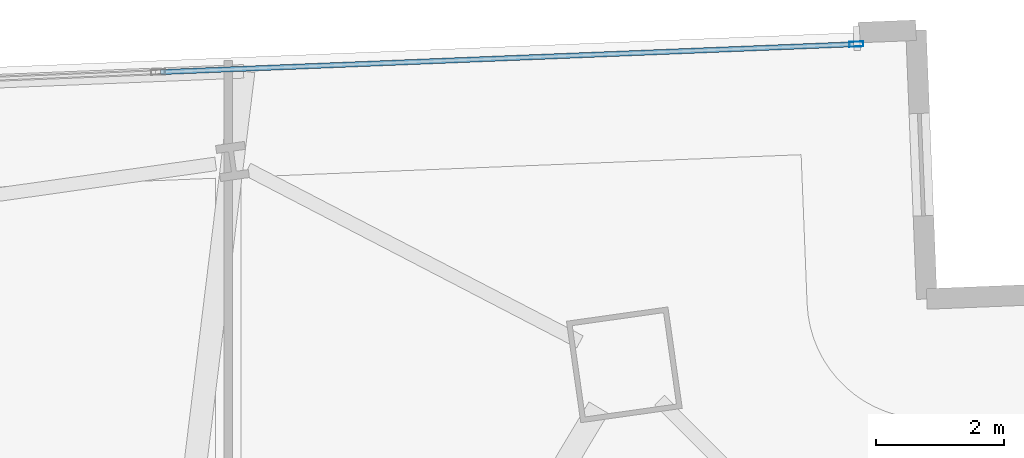
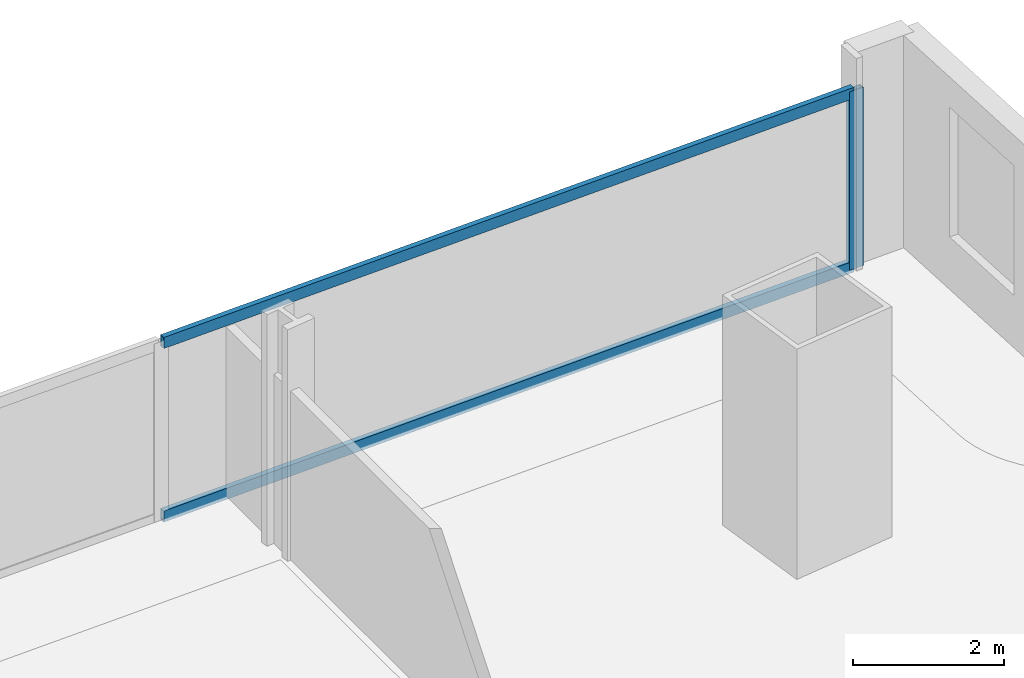
# One storey, part 23 of 32: 3 members, 1 element without a shape of its own.
"""IFC4 building model written with IfcOpenShell, lengths in metres."""

from ifc_helpers import new_model, si_unit, direction, frame, origin, origin_2d, place, context, subcontext, project, spatial, hollow_rectangle, extrude, material, material_profile, profile_set, type_object, element, aggregate, save


model = new_model("IFC4")

# Units and contexts
model_context = context("Model", 3, precision=1e-05, world=origin(), true_north=direction((0.0, 1.0)))
body_context = subcontext(model_context, "Body", "Model", "MODEL_VIEW")
ifc_project = project(units=[si_unit("LENGTHUNIT", "METRE"), si_unit("AREAUNIT", "SQUARE_METRE"), si_unit("VOLUMEUNIT", "CUBIC_METRE"), si_unit("PLANEANGLEUNIT", "RADIAN"), si_unit("MASSUNIT", "GRAM", prefix="KILO")], contexts=[model_context])

# Site, building, storey
site_placement = place(None, origin())
site = spatial("IfcSite", under=ifc_project, at=site_placement, CompositionType="ELEMENT")
building_placement = place(site_placement, origin())
building = spatial("IfcBuilding", under=site, at=building_placement, Name="Haldenkirk Collegiate Tower", CompositionType="ELEMENT")
storey_placement = place(building_placement, frame((0.0, 0.0, 36.449951171875)))
storey = spatial("IfcBuildingStorey", under=building, at=storey_placement, Name="L07", CompositionType="ELEMENT", Elevation=36.449951171875)

# Curtain wall, members
ifc_material = material(Name="Anodised architectural bronze aluminium", Category="aluminium")
curtain_wall_type = type_object("IfcCurtainWallType", Name="CW-SYS1-CONVEX-LOW", PredefinedType="USERDEFINED", material=ifc_material)
curtain_wall_placement = place(storey_placement, origin())
curtain_wall = element("IfcCurtainWall", 1, at=curtain_wall_placement, inside=storey, type_object=curtain_wall_type, Name="L07 Lower tower convex bronze-framed unitised curtain wall", ObjectType="UNITISED CURTAIN WALL", PredefinedType="USERDEFINED")
ifc_material_profile_1 = material_profile(ifc_material, hollow_rectangle(XDim=0.080078125, YDim=0.219970703125, WallThickness=0.0048828125, at=origin_2d()), Name="CW-MUL-1A")
ifc_profile_set_1 = profile_set([ifc_material_profile_1], Name="Anodised architectural bronze aluminium")
member_type_1 = type_object("IfcMemberType", Name="CW-MUL-1A", PredefinedType="MULLION", material=ifc_profile_set_1)
member_1_placement = place(storey_placement, frame((56.80615234375, 52.676513671875, 0.0), z_axis=(0.0, 0.0, 1.0), x_axis=(-0.04013471179, 0.999194277861, 0.0)))
member_1 = element("IfcMember", 2, at=member_1_placement, type_object=member_type_1, Name="CW-1A mullion 5", PredefinedType="MULLION", context=body_context, shape_type="SweptSolid", body=[
    extrude(hollow_rectangle(XDim=0.080078125, YDim=0.219970703125, WallThickness=0.0048828125, at=origin_2d()), origin(), (0.0, 0.0, 1.0), 2.89111328125),
])
ifc_material_profile_2 = material_profile(ifc_material, hollow_rectangle(XDim=0.080078125, YDim=0.179931640625, WallThickness=0.0048828125, at=origin_2d()), Name="CW-TRN-1A")
ifc_profile_set_2 = profile_set([ifc_material_profile_2], Name="Anodised architectural bronze aluminium")
member_type_2 = type_object("IfcMemberType", Name="CW-TRN-1A", PredefinedType="USERDEFINED", material=ifc_profile_set_2)
member_2_placement = place(storey_placement, frame((45.94482421875, 52.240234375, 0.0400390625), z_axis=(0.999194608199, 0.040126486838, 0.0), x_axis=(-0.040126486838, 0.999194608199, 0.0)))
member_2 = element("IfcMember", 3, at=member_2_placement, type_object=member_type_2, Name="CW-1A transom 4.1", ObjectType="TRANSOM", PredefinedType="USERDEFINED", context=body_context, shape_type="SweptSolid", body=[
    extrude(hollow_rectangle(XDim=0.080078125, YDim=0.179931640625, WallThickness=0.0048828125, at=origin_2d()), origin(), (0.0, 0.0, 1.0), 10.830078125),
])
member_3_placement = place(storey_placement, frame((45.94482421875, 52.240234375, 2.85107421875), z_axis=(0.999194608199, 0.040126486838, 0.0), x_axis=(-0.040126486838, 0.999194608199, 0.0)))
member_3 = element("IfcMember", 4, at=member_3_placement, type_object=member_type_2, Name="CW-1A transom 4.2", ObjectType="TRANSOM", PredefinedType="USERDEFINED", context=body_context, shape_type="SweptSolid", body=[
    extrude(hollow_rectangle(XDim=0.080078125, YDim=0.179931640625, WallThickness=0.0048828125, at=origin_2d()), origin(), (0.0, 0.0, 1.0), 10.830078125),
])
aggregate(curtain_wall, [member_1, member_2, member_3])

save(model, "model.ifc")
